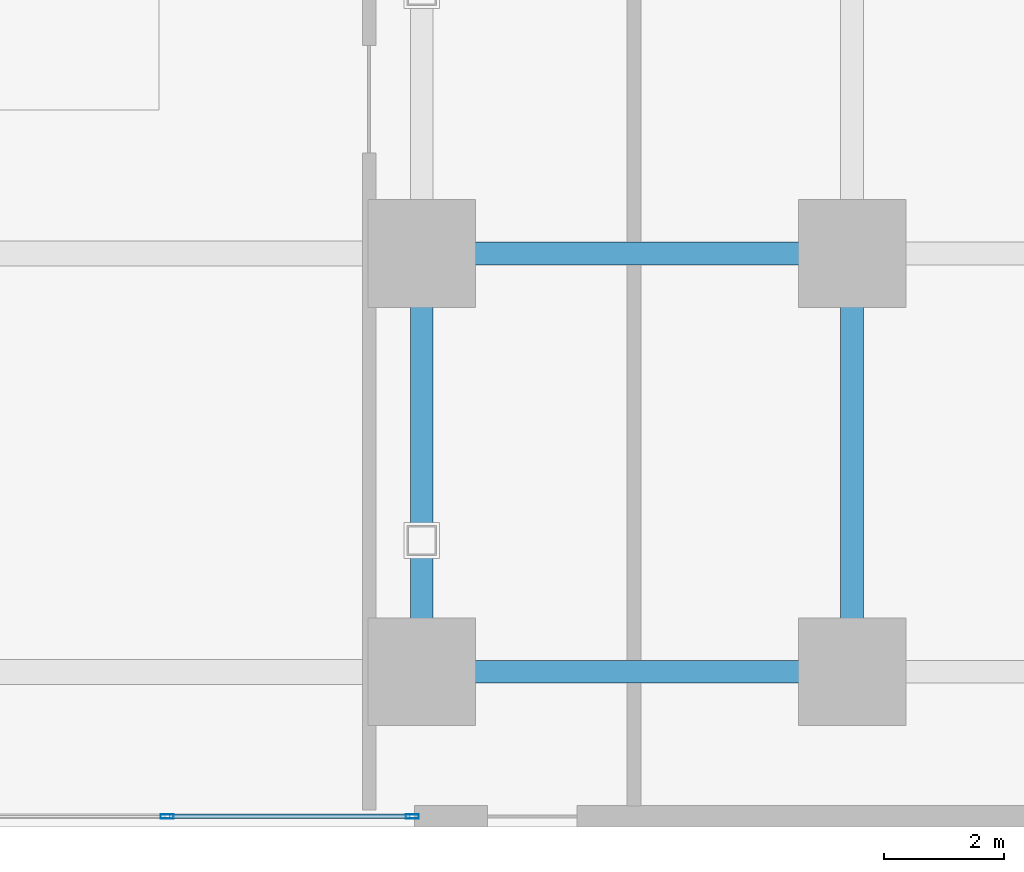
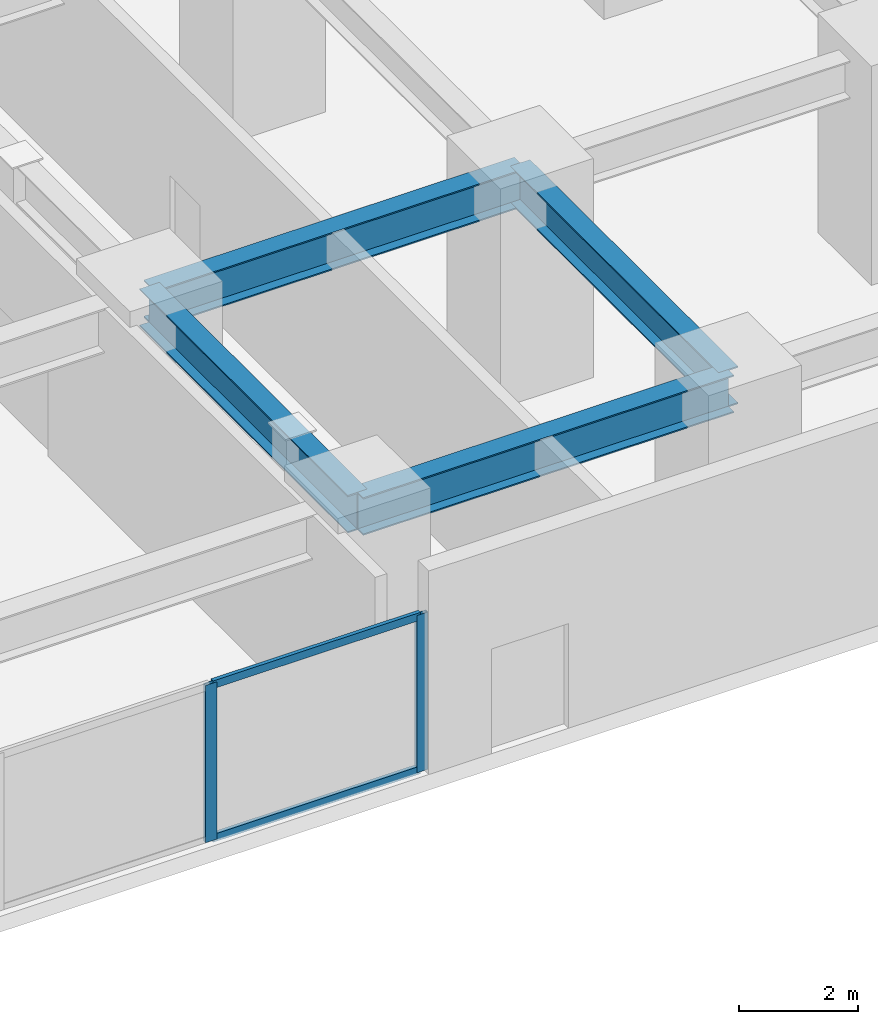
# One storey, part 7 of 26: 4 beams, 4 members, 1 element without a shape of its own.
"""IFC4 building model written with IfcOpenShell, lengths in metres."""

import ifcopenshell
import ifcopenshell.guid

model = None  # the IFC model being written
_history = None  # IfcOwnerHistory: only IFC2X3 demands one
_inside = {}  # id of a spatial element -> (the spatial element, [elements in it])
_under = {}  # id of a project, library or spatial element -> (it, [spatial elements below it])
_declared = {}  # id of a project -> (the project, [libraries it declares])
_typed = {}  # id of a type object -> (the type object, [elements of that type])
_made_of = {}  # id of a material, layer set ... -> (it, [elements and type objects made of it])


def new_model(schema):
    """Start an empty IFC model of exactly this schema.

    Asked for "IFC4X3", IfcOpenShell would pick the latest addendum, in which some entities
    have other attributes; the version numbers below select the first issue.
    IFC2X3 requires an IfcOwnerHistory on every rooted entity: one is made here for all.
    """
    global model, _history
    if schema == "IFC4X3":
        model = ifcopenshell.file(schema_version=(4, 3, 0, 0))
    else:
        model = ifcopenshell.file(schema=schema)
    _inside.clear()
    _under.clear()
    _declared.clear()
    _typed.clear()
    _made_of.clear()
    _history = None
    if model.schema == "IFC2X3":
        org = make("IfcOrganization", Name="unknown")
        user = make(
            "IfcPersonAndOrganization",
            ThePerson=make("IfcPerson", FamilyName="unknown"),
            TheOrganization=org,
        )
        app = make(
            "IfcApplication",
            ApplicationDeveloper=org,
            Version="unknown",
            ApplicationFullName="unknown",
            ApplicationIdentifier="unknown",
        )
        _history = make(
            "IfcOwnerHistory",
            OwningUser=user,
            OwningApplication=app,
            ChangeAction="ADDED",
            CreationDate=0,
        )
    return model


def make(cls, **values):
    """One entity of the class cls with the attributes given. An attribute that is None is left unset."""
    return model.create_entity(
        cls, **{name: value for name, value in values.items() if value is not None}
    )


def rooted(cls, **values):
    """An entity with a GlobalId (a new one), such as an element, a storey or a relation."""
    return make(cls, GlobalId=ifcopenshell.guid.new(), OwnerHistory=_history, **values)


def si_unit(unit_type, name, prefix=None):
    """IfcSIUnit, for example si_unit("LENGTHUNIT", "METRE", prefix="MILLI")."""
    return make("IfcSIUnit", UnitType=unit_type, Prefix=prefix, Name=name)


def assignment(units):
    """IfcUnitAssignment: the units of a project."""
    return None if units is None else make("IfcUnitAssignment", Units=units)


def point(xyz):
    """IfcCartesianPoint."""
    return None if xyz is None else make("IfcCartesianPoint", Coordinates=xyz)


def direction(xyz):
    """IfcDirection."""
    return None if xyz is None else make("IfcDirection", DirectionRatios=xyz)


def frame(location, z_axis=None, x_axis=None):
    """IfcAxis2Placement3D, a coordinate frame: its origin and axes. An axis left out is left unset."""
    return make(
        "IfcAxis2Placement3D",
        Location=point(location),
        Axis=direction(z_axis),
        RefDirection=direction(x_axis),
    )


def frame_2d(location, x_axis=None):
    """IfcAxis2Placement2D, a coordinate frame in the plane: its origin and x axis."""
    return make(
        "IfcAxis2Placement2D", Location=point(location), RefDirection=direction(x_axis)
    )


def origin():
    """The frame at (0, 0, 0) with its axes left unset."""
    return frame((0.0, 0.0, 0.0))


def origin_2d():
    """The frame at (0, 0) in the plane with its x axis left unset."""
    return frame_2d((0.0, 0.0))


def place(relative_to, where):
    """IfcLocalPlacement: puts the frame where relative to a parent placement (None: the world)."""
    return make(
        "IfcLocalPlacement", PlacementRelTo=relative_to, RelativePlacement=where
    )


def context(
    kind, dimensions, precision=None, world=None, true_north=None, identifier=None
):
    """IfcGeometricRepresentationContext, for example the 3D "Model" context."""
    return make(
        "IfcGeometricRepresentationContext",
        ContextIdentifier=identifier,
        ContextType=kind,
        CoordinateSpaceDimension=dimensions,
        Precision=precision,
        WorldCoordinateSystem=world,
        TrueNorth=true_north,
    )


def subcontext(parent, identifier, kind, view, scale=None):
    """IfcGeometricRepresentationSubContext, for example "Body" below "Model"."""
    return make(
        "IfcGeometricRepresentationSubContext",
        ContextIdentifier=identifier,
        ContextType=kind,
        ParentContext=parent,
        TargetScale=scale,
        TargetView=view,
    )


def project(units=None, contexts=None):
    """IfcProject with its units and contexts."""
    return rooted(
        "IfcProject",
        Name="project",
        RepresentationContexts=contexts,
        UnitsInContext=assignment(units),
    )


def spatial(cls, under=None, at=None, **own):
    """A site, building, storey or space (cls), placed at a placement, below another one or the project."""
    s = rooted(cls, ObjectPlacement=at, **own)
    if under is not None:
        _under.setdefault(under.id(), (under, []))[1].append(s)
    return s


def profile(cls, at=None, kind="AREA", **sizes):
    """A parametric profile (cls). Its sizes go by their IFC names, for example OverallWidth=200.0."""
    return make(cls, ProfileType=kind, Position=at, **sizes)


def hollow_rectangle(**sizes):
    """IfcRectangleHollowProfileDef."""
    return profile("IfcRectangleHollowProfileDef", **sizes)


def i_section(**sizes):
    """IfcIShapeProfileDef."""
    return profile("IfcIShapeProfileDef", **sizes)


def extrude(swept, where, along, depth):
    """IfcExtrudedAreaSolid: the profile swept, set in the frame where, extruded along a direction by depth."""
    return make(
        "IfcExtrudedAreaSolid",
        SweptArea=swept,
        Position=where,
        ExtrudedDirection=direction(along),
        Depth=depth,
    )


def shape(context_of_items, identifier, shape_type, items):
    """IfcShapeRepresentation: the items that make up one representation, for example the "Body"."""
    return make(
        "IfcShapeRepresentation",
        ContextOfItems=context_of_items,
        RepresentationIdentifier=identifier,
        RepresentationType=shape_type,
        Items=items,
    )


def material(Name=None, Category=None):
    """IfcMaterial."""
    return make("IfcMaterial", Name=Name, Category=Category)


def layer(
    of_material, thickness, ventilated=None, Name=None, Category=None, Priority=None
):
    """IfcMaterialLayer: one layer of a wall or slab, of a material (None: an air gap)."""
    return make(
        "IfcMaterialLayer",
        Material=of_material,
        LayerThickness=thickness,
        IsVentilated=ventilated,
        Name=Name,
        Category=Category,
        Priority=Priority,
    )


def layer_set(layers, Name=None):
    """IfcMaterialLayerSet."""
    return make("IfcMaterialLayerSet", MaterialLayers=layers, LayerSetName=Name)


def material_profile(
    of_material, cross_section, Name=None, Category=None, Priority=None
):
    """IfcMaterialProfile: a cross section and its material."""
    return make(
        "IfcMaterialProfile",
        Name=Name,
        Material=of_material,
        Profile=cross_section,
        Priority=Priority,
        Category=Category,
    )


def profile_set(profiles, Name=None, composite=None):
    """IfcMaterialProfileSet."""
    return make(
        "IfcMaterialProfileSet",
        Name=Name,
        MaterialProfiles=profiles,
        CompositeProfile=composite,
    )


def made_of(thing, what):
    """Note that an element or type object is made of a material, layer set ...; save() writes the relation."""
    if what is not None:
        _made_of.setdefault(what.id(), (what, []))[1].append(thing)
    return thing


def type_object(cls, material=None, **own):
    """A type object (cls), such as IfcWallType, which elements share."""
    return made_of(rooted(cls, **own), material)


def element(
    cls,
    number,
    at=None,
    inside=None,
    cuts=None,
    type_object=None,
    material=None,
    context=None,
    identifier="Body",
    shape_type=None,
    held_by="IfcProductDefinitionShape",
    body=None,
    shapes=None,
    **own,
):
    """One element of the class cls, such as IfcWall. Its Tag is "e" and its number.

    at: its placement. inside: the storey or other place that contains it. cuts: it is an
    opening in that element (IfcRelVoidsElement). A single representation is given by context,
    identifier, shape_type and body (its items); several are given by shapes. held_by: the class
    of the entity that holds the representations. save() writes the other relations.
    """
    e = rooted(cls, Tag="e%d" % number, ObjectPlacement=at, **own)
    if body is not None:
        shapes = [shape(context, identifier, shape_type, body)]
    if shapes is not None:
        e.Representation = make(held_by, Representations=shapes)
    if inside is not None:
        _inside.setdefault(inside.id(), (inside, []))[1].append(e)
    if cuts is not None:
        rooted(
            "IfcRelVoidsElement", RelatingBuildingElement=cuts, RelatedOpeningElement=e
        )
    if type_object is not None:
        _typed.setdefault(type_object.id(), (type_object, []))[1].append(e)
    return made_of(e, material)


def aggregate(whole, parts):
    """IfcRelAggregates: a whole, such as a stair, and the parts it consists of."""
    return rooted("IfcRelAggregates", RelatingObject=whole, RelatedObjects=parts)


def save(model, path):
    """Write the relations noted so far, then the file.

    IfcRelAggregates (storeys below a building ...), IfcRelContainedInSpatialStructure (elements
    in a storey), IfcRelDefinesByType, IfcRelAssociatesMaterial and IfcRelDeclares: one each for
    every whole, place, type object, material and project.
    """
    for whole, parts in _under.values():
        aggregate(whole, parts)
    for where, things in _inside.values():
        rooted(
            "IfcRelContainedInSpatialStructure",
            RelatedElements=things,
            RelatingStructure=where,
        )
    for kind, things in _typed.values():
        rooted("IfcRelDefinesByType", RelatedObjects=things, RelatingType=kind)
    for what, things in _made_of.values():
        rooted("IfcRelAssociatesMaterial", RelatedObjects=things, RelatingMaterial=what)
    for by, libraries in _declared.values():
        rooted("IfcRelDeclares", RelatingContext=by, RelatedDefinitions=libraries)
    model.write(path)


model = new_model("IFC4")

# Units and contexts
model_context = context("Model", 3, precision=1e-05, world=origin(), true_north=direction((0.0, 1.0)))
body_context = subcontext(model_context, "Body", "Model", "MODEL_VIEW")
ifc_project = project(units=[si_unit("LENGTHUNIT", "METRE"), si_unit("AREAUNIT", "SQUARE_METRE"), si_unit("VOLUMEUNIT", "CUBIC_METRE"), si_unit("PLANEANGLEUNIT", "RADIAN"), si_unit("MASSUNIT", "GRAM", prefix="KILO")], contexts=[model_context])

# Site, building, storey
site_placement = place(None, origin())
site = spatial("IfcSite", under=ifc_project, at=site_placement, CompositionType="ELEMENT")
building_placement = place(site_placement, origin())
building = spatial("IfcBuilding", under=site, at=building_placement, Name="Kiyonajd Concourse Tower", CompositionType="ELEMENT")
storey_placement = place(building_placement, origin())
storey = spatial("IfcBuildingStorey", under=building, at=storey_placement, Name="L01", CompositionType="ELEMENT", Elevation=0.0)

# Beams
ifc_material_1 = material(Name="Steel ASTM A992 Grade 50", Category="steel")
ifc_material_profile_1 = material_profile(ifc_material_1, i_section(OverallWidth=0.381103515625, OverallDepth=0.77294921875, WebThickness=0.0166015625, FlangeThickness=0.027099609375, at=origin_2d()), Name="W760X257")
ifc_profile_set_1 = profile_set([ifc_material_profile_1], Name="Steel ASTM A992 Grade 50")
beam_type = type_object("IfcBeamType", Name="BM-POD-760", PredefinedType="BEAM", material=ifc_profile_set_1)
for number, where, z_axis, x_axis, name in (
    (1, (56.39990234375, 2.60009765625, 3.79345703125), (1.0, 0.0, 0.0), (0.0, 1.0, 0.0), "L01 Podium Primary Beam"),
    (2, (56.39990234375, 9.60009765625, 3.79345703125), (1.0, 0.0, 0.0), (0.0, 1.0, 0.0), "L01 Podium Primary Beam"),
):
    element("IfcBeam", number, at=place(storey_placement, frame(where, z_axis=z_axis, x_axis=x_axis)), inside=storey, type_object=beam_type, Name=name, PredefinedType="BEAM", context=body_context, shape_type="SweptSolid", body=[
        extrude(i_section(OverallWidth=0.381103515625, OverallDepth=0.77294921875, WebThickness=0.0166015625, FlangeThickness=0.027099609375, at=origin_2d()), origin(), (0.0, 0.0, 1.0), 7.2001953125),
    ])
for number, where, z_axis, x_axis, name in (
    (3, (56.39990234375, 2.60009765625, 3.79345703125), (0.0, 1.0, 0.0), (-1.0, 0.0, 0.0), "L01 Podium North South Beam"),
    (4, (63.60009765625, 2.60009765625, 3.79345703125), (0.0, 1.0, 0.0), (-1.0, 0.0, 0.0), "L01 Podium North South Beam"),
):
    element("IfcBeam", number, at=place(storey_placement, frame(where, z_axis=z_axis, x_axis=x_axis)), inside=storey, type_object=beam_type, Name=name, PredefinedType="BEAM", context=body_context, shape_type="SweptSolid", body=[
        extrude(i_section(OverallWidth=0.381103515625, OverallDepth=0.77294921875, WebThickness=0.0166015625, FlangeThickness=0.027099609375, at=origin_2d()), origin(), (0.0, 0.0, 1.0), 7.0),
    ])

# Curtain wall, members
ifc_material_2 = material(Name="Thermally Broken Anodised Aluminium", Category="aluminium")
ifc_layer = layer(ifc_material_2, 0.179931640625)
ifc_layer_set = layer_set([ifc_layer], Name="Thermally Broken Anodised Aluminium")
curtain_wall_type = type_object("IfcCurtainWallType", Name="CW-SYS-01", PredefinedType="NOTDEFINED", material=ifc_layer_set)
curtain_wall_placement = place(storey_placement, origin())
curtain_wall = element("IfcCurtainWall", 5, at=curtain_wall_placement, inside=storey, type_object=curtain_wall_type, Name="L01 Unitised Curtain Wall CW1", PredefinedType="NOTDEFINED")
ifc_material_profile_2 = material_profile(ifc_material_2, hollow_rectangle(XDim=0.074951171875, YDim=0.219970703125, WallThickness=0.0048828125, at=origin_2d()), Name="MULL-75x220")
ifc_profile_set_2 = profile_set([ifc_material_profile_2], Name="Thermally Broken Anodised Aluminium")
member_type_1 = type_object("IfcMemberType", Name="MB-CW-MULL2", PredefinedType="MULLION", material=ifc_profile_set_2)
member_1_placement = place(storey_placement, frame((56.242431640625, 0.179931640625, 0.0), z_axis=(0.0, 0.0, 1.0), x_axis=(0.0, -1.0, 0.0)))
member_1 = element("IfcMember", 6, at=member_1_placement, type_object=member_type_1, Name="CW1 mullion 1", PredefinedType="MULLION", context=body_context, shape_type="SweptSolid", body=[
    extrude(hollow_rectangle(XDim=0.074951171875, YDim=0.219970703125, WallThickness=0.0048828125, at=origin_2d()), origin(), (0.0, 0.0, 1.0), 3.22998046875),
])
member_2_placement = place(storey_placement, frame((52.139892578125, 0.179931640625, 0.0), z_axis=(0.0, 0.0, 1.0), x_axis=(0.0, -1.0, 0.0)))
member_2 = element("IfcMember", 7, at=member_2_placement, type_object=member_type_1, Name="CW1 mullion 2", PredefinedType="MULLION", context=body_context, shape_type="SweptSolid", body=[
    extrude(hollow_rectangle(XDim=0.074951171875, YDim=0.219970703125, WallThickness=0.0048828125, at=origin_2d()), origin(), (0.0, 0.0, 1.0), 3.22998046875),
])
ifc_material_profile_3 = material_profile(ifc_material_2, hollow_rectangle(XDim=0.074951171875, YDim=0.159912109375, WallThickness=0.0048828125, at=origin_2d()), Name="TRAN-75x160")
ifc_profile_set_3 = profile_set([ifc_material_profile_3], Name="Thermally Broken Anodised Aluminium")
member_type_2 = type_object("IfcMemberType", Name="MB-CW-TRAN2", PredefinedType="USERDEFINED", material=ifc_profile_set_3)
member_3_placement = place(storey_placement, frame((56.205078125, 0.179931640625, 0.03759765625), z_axis=(-1.0, 0.0, 0.0), x_axis=(0.0, -1.0, 0.0)))
member_3 = element("IfcMember", 8, at=member_3_placement, type_object=member_type_2, Name="CW1 transom 1.1", ObjectType="TRANSOM", PredefinedType="USERDEFINED", context=body_context, shape_type="SweptSolid", body=[
    extrude(hollow_rectangle(XDim=0.074951171875, YDim=0.159912109375, WallThickness=0.0048828125, at=origin_2d()), origin(), (0.0, 0.0, 1.0), 4.027587890625),
])
member_4_placement = place(storey_placement, frame((56.205078125, 0.179931640625, 3.1923828125), z_axis=(-1.0, 0.0, 0.0), x_axis=(0.0, -1.0, 0.0)))
member_4 = element("IfcMember", 9, at=member_4_placement, type_object=member_type_2, Name="CW1 transom 1.2", ObjectType="TRANSOM", PredefinedType="USERDEFINED", context=body_context, shape_type="SweptSolid", body=[
    extrude(hollow_rectangle(XDim=0.074951171875, YDim=0.159912109375, WallThickness=0.0048828125, at=origin_2d()), origin(), (0.0, 0.0, 1.0), 4.027587890625),
])
aggregate(curtain_wall, [member_1, member_2, member_3, member_4])

save(model, "model.ifc")
